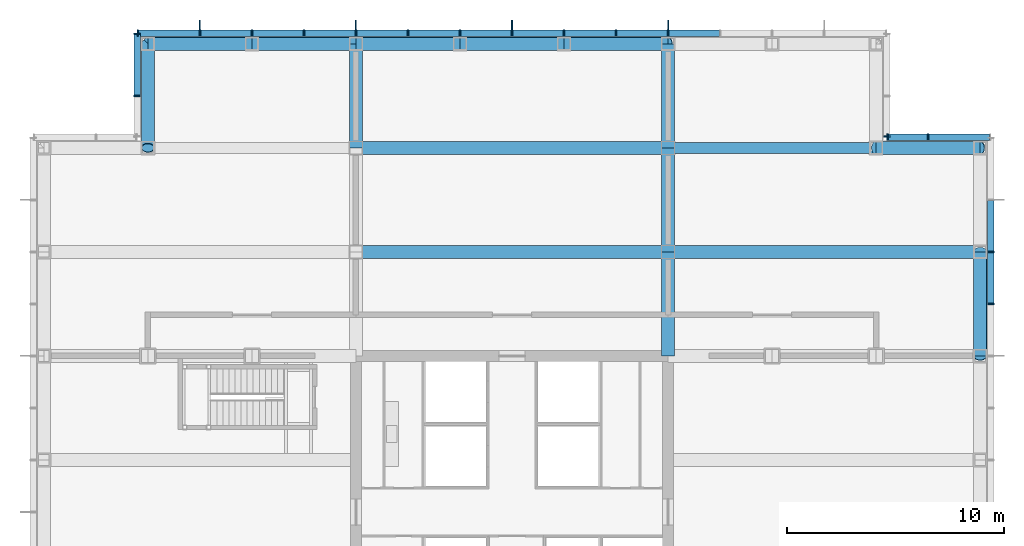
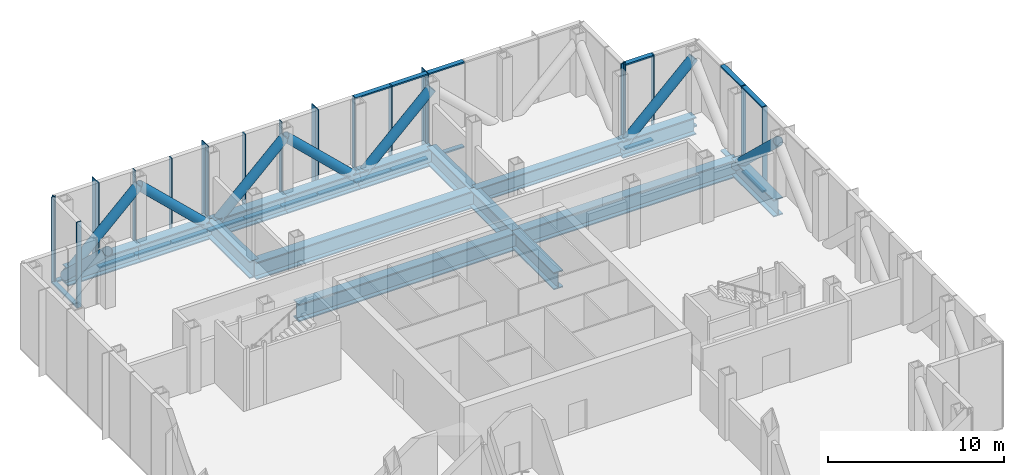
# One storey, part 10 of 18: 52 members, 15 beams, 5 elements without a shape of their own.
"""IFC4 building model written with IfcOpenShell, lengths in metres."""

from ifc_helpers import new_model, si_unit, direction, frame, origin, origin_2d, place, context, subcontext, project, spatial, rectangle, hollow_circle, i_section, extrude, material, material_profile, profile_set, type_object, element, aggregate, save


model = new_model("IFC4")

# Units and contexts
model_context = context("Model", 3, precision=1e-05, world=origin(), true_north=direction((0.0, 1.0)))
body_context = subcontext(model_context, "Body", "Model", "MODEL_VIEW")
ifc_project = project(units=[si_unit("LENGTHUNIT", "METRE"), si_unit("AREAUNIT", "SQUARE_METRE"), si_unit("VOLUMEUNIT", "CUBIC_METRE"), si_unit("PLANEANGLEUNIT", "RADIAN"), si_unit("MASSUNIT", "GRAM", prefix="KILO")], contexts=[model_context])

# Site, building, storey
site_placement = place(None, origin())
site = spatial("IfcSite", under=ifc_project, at=site_placement, CompositionType="ELEMENT")
building_placement = place(site_placement, origin())
building = spatial("IfcBuilding", under=site, at=building_placement, Name="Kvirike Care Tower", CompositionType="ELEMENT")
storey_placement = place(building_placement, frame((0.0, 0.0, 79.5)))
storey = spatial("IfcBuildingStorey", under=building, at=storey_placement, Name="L21", CompositionType="ELEMENT", Elevation=79.5)

# Members
ifc_material_1 = material(Name="Steel S355", Category="steel")
ifc_material_profile_1 = material_profile(ifc_material_1, hollow_circle(Radius=0.304931640625, WallThickness=0.030029296875, at=origin_2d()), Name="CHS 610x30")
ifc_profile_set_1 = profile_set([ifc_material_profile_1], Name="Steel S355")
member_type_1 = type_object("IfcMemberType", Name="BELT TRUSS DIAGONAL CHS 610x30", PredefinedType="BRACE", material=ifc_profile_set_1)
for number, where, z_axis, x_axis, name in (
    (1, (43.199951171875, 48.0, -0.85009765625), (0.0, -0.723490032929, 0.690334826191), (1.0, 0.0, 0.0), "Belt truss diagonal K12-L12 L21"),
    (2, (38.39990234375, 52.800048828125, -0.85009765625), (0.723490032929, 0.0, 0.690334826191), (0.0, 1.0, 0.0), "Belt truss diagonal M12-M11 L21"),
    (3, (24.0, 57.60009765625, -0.85009765625), (0.723490032929, 0.0, 0.690334826191), (0.0, 1.0, 0.0), "Belt truss diagonal N9-N8 L21"),
    (4, (24.0, 57.60009765625, -0.85009765625), (-0.723490032929, 0.0, 0.690334826191), (0.0, -1.0, 0.0), "Belt truss diagonal N8-N7 L21"),
    (5, (14.39990234375, 57.60009765625, -0.85009765625), (0.723490032929, 0.0, 0.690334826191), (0.0, 1.0, 0.0), "Belt truss diagonal N7-N6 L21"),
):
    element("IfcMember", number, at=place(storey_placement, frame(where, z_axis=z_axis, x_axis=x_axis)), inside=storey, type_object=member_type_1, Name=name, PredefinedType="BRACE", context=body_context, shape_type="SweptSolid", body=[
        extrude(hollow_circle(Radius=0.304931640625, WallThickness=0.030029296875, at=origin_2d()), origin(), (0.0, 0.0, 1.0), 6.634521484375),
    ])
member_1_placement = place(storey_placement, frame((14.39990234375, 57.60009765625, -0.85009765625), z_axis=(-0.723472495583, 0.0, 0.690353205348), x_axis=(0.0, -1.0, 0.0)))
element("IfcMember", 6, at=member_1_placement, inside=storey, type_object=member_type_1, Name="Belt truss diagonal N6-N5 L21", PredefinedType="BRACE", context=body_context, shape_type="SweptSolid", body=[
    extrude(hollow_circle(Radius=0.304931640625, WallThickness=0.030029296875, at=origin_2d()), origin(), (0.0, 0.0, 1.0), 6.63427734375),
])
for number, where, z_axis, x_axis, name in (
    (7, (4.800048828125, 57.60009765625, -0.85009765625), (0.723490032929, 0.0, 0.690334826191), (0.0, 1.0, 0.0), "Belt truss diagonal N5-N4 L21"),
    (8, (4.800048828125, 57.60009765625, -0.85009765625), (0.0, -0.723490032929, 0.690334826191), (1.0, 0.0, 0.0), "Belt truss diagonal N4-M4 L21"),
):
    element("IfcMember", number, at=place(storey_placement, frame(where, z_axis=z_axis, x_axis=x_axis)), inside=storey, type_object=member_type_1, Name=name, PredefinedType="BRACE", context=body_context, shape_type="SweptSolid", body=[
        extrude(hollow_circle(Radius=0.304931640625, WallThickness=0.030029296875, at=origin_2d()), origin(), (0.0, 0.0, 1.0), 6.634521484375),
    ])

# Curtain wall, members
ifc_material_2 = material(Name="Anodised aluminium stick system", Category="aluminium")
curtain_wall_type = type_object("IfcCurtainWallType", Name="CW-L LOUVRED PLANT SCREEN", PredefinedType="NOTDEFINED", material=ifc_material_2)
curtain_wall_1_placement = place(storey_placement, origin())
curtain_wall_1 = element("IfcCurtainWall", 9, at=curtain_wall_1_placement, inside=storey, type_object=curtain_wall_type, Name="Curtain wall L21 face 10", PredefinedType="NOTDEFINED")
ifc_material_3 = material(Name="Bronze anodised aluminium fin", Category="aluminium")
ifc_material_profile_2 = material_profile(ifc_material_3, rectangle(XDim=0.050048828125, YDim=0.449951171875, at=origin_2d()), Name="BRONZE FIN 450")
ifc_profile_set_2 = profile_set([ifc_material_profile_2], Name="Bronze anodised aluminium fin")
member_type_2 = type_object("IfcMemberType", Name="BRONZE FIN 450", PredefinedType="USERDEFINED", material=ifc_profile_set_2)
member_2_placement = place(storey_placement, frame((28.800048828125, 58.47509765625, -1.449951171875), z_axis=(0.0, 0.0, 1.0), x_axis=(-1.0, 0.0, 0.0)))
member_2 = element("IfcMember", 10, at=member_2_placement, type_object=member_type_2, Name="Bronze fin L21 face 10.5", ObjectType="FIN", PredefinedType="USERDEFINED", context=body_context, shape_type="SweptSolid", body=[
    extrude(rectangle(XDim=0.050048828125, YDim=0.449951171875, at=origin_2d()), origin(), (0.0, 0.0, 1.0), 5.949951171875),
])
member_3_placement = place(storey_placement, frame((21.60009765625, 58.47509765625, -1.449951171875), z_axis=(0.0, 0.0, 1.0), x_axis=(-1.0, 0.0, 0.0)))
member_3 = element("IfcMember", 11, at=member_3_placement, type_object=member_type_2, Name="Bronze fin L21 face 10.8", ObjectType="FIN", PredefinedType="USERDEFINED", context=body_context, shape_type="SweptSolid", body=[
    extrude(rectangle(XDim=0.050048828125, YDim=0.449951171875, at=origin_2d()), origin(), (0.0, 0.0, 1.0), 5.949951171875),
])
member_4_placement = place(storey_placement, frame((14.39990234375, 58.47509765625, -1.449951171875), z_axis=(0.0, 0.0, 1.0), x_axis=(-1.0, 0.0, 0.0)))
member_4 = element("IfcMember", 12, at=member_4_placement, type_object=member_type_2, Name="Bronze fin L21 face 10.11", ObjectType="FIN", PredefinedType="USERDEFINED", context=body_context, shape_type="SweptSolid", body=[
    extrude(rectangle(XDim=0.050048828125, YDim=0.449951171875, at=origin_2d()), origin(), (0.0, 0.0, 1.0), 5.949951171875),
])
member_5_placement = place(storey_placement, frame((7.199951171875, 58.47509765625, -1.449951171875), z_axis=(0.0, 0.0, 1.0), x_axis=(-1.0, 0.0, 0.0)))
member_5 = element("IfcMember", 13, at=member_5_placement, type_object=member_type_2, Name="Bronze fin L21 face 10.14", ObjectType="FIN", PredefinedType="USERDEFINED", context=body_context, shape_type="SweptSolid", body=[
    extrude(rectangle(XDim=0.050048828125, YDim=0.449951171875, at=origin_2d()), origin(), (0.0, 0.0, 1.0), 5.949951171875),
])

curtain_wall_2_placement = place(storey_placement, origin())
curtain_wall_2 = element("IfcCurtainWall", 14, at=curtain_wall_2_placement, inside=storey, type_object=curtain_wall_type, Name="Curtain wall L21 face 7", PredefinedType="NOTDEFINED")
ifc_material_4 = material(Name="Bronze anodised aluminium mullion", Category="aluminium")
ifc_material_profile_3 = material_profile(ifc_material_4, rectangle(XDim=0.06494140625, YDim=0.300048828125, at=origin_2d()), Name="CW-L MULLION 65x300")
ifc_profile_set_3 = profile_set([ifc_material_profile_3], Name="Bronze anodised aluminium mullion")
member_type_3 = type_object("IfcMemberType", Name="CW-L MULLION 65x300", PredefinedType="MULLION", material=ifc_profile_set_3)
member_6_placement = place(storey_placement, frame((43.699951171875, 45.60009765625, -1.449951171875), z_axis=(0.0, 0.0, 1.0), x_axis=(0.0, 1.0, 0.0)))
member_6 = element("IfcMember", 15, at=member_6_placement, type_object=member_type_3, Name="CW-L mullion L21 face 7.12", PredefinedType="MULLION", context=body_context, shape_type="SweptSolid", body=[
    extrude(rectangle(XDim=0.06494140625, YDim=0.300048828125, at=origin_2d()), origin(), (0.0, 0.0, 1.0), 5.949951171875),
])
member_7_placement = place(storey_placement, frame((43.699951171875, 48.0, -1.449951171875), z_axis=(0.0, 0.0, 1.0), x_axis=(0.0, 1.0, 0.0)))
member_7 = element("IfcMember", 16, at=member_7_placement, type_object=member_type_3, Name="CW-L mullion L21 face 7.13", PredefinedType="MULLION", context=body_context, shape_type="SweptSolid", body=[
    extrude(rectangle(XDim=0.06494140625, YDim=0.300048828125, at=origin_2d()), origin(), (0.0, 0.0, 1.0), 5.949951171875),
])

curtain_wall_3_placement = place(storey_placement, origin())
curtain_wall_3 = element("IfcCurtainWall", 17, at=curtain_wall_3_placement, inside=storey, type_object=curtain_wall_type, Name="Curtain wall L21 face 8", PredefinedType="NOTDEFINED")
member_8_placement = place(storey_placement, frame((40.800048828125, 53.300048828125, -1.449951171875), z_axis=(0.0, 0.0, 1.0), x_axis=(-1.0, 0.0, 0.0)))
member_8 = element("IfcMember", 18, at=member_8_placement, type_object=member_type_3, Name="CW-L mullion L21 face 8.2", PredefinedType="MULLION", context=body_context, shape_type="SweptSolid", body=[
    extrude(rectangle(XDim=0.06494140625, YDim=0.300048828125, at=origin_2d()), origin(), (0.0, 0.0, 1.0), 5.949951171875),
])
member_9_placement = place(storey_placement, frame((38.9326171875, 53.300048828125, -1.449951171875), z_axis=(0.0, 0.0, 1.0), x_axis=(-1.0, 0.0, 0.0)))
member_9 = element("IfcMember", 19, at=member_9_placement, type_object=member_type_3, Name="CW-L mullion L21 face 8.3", PredefinedType="MULLION", context=body_context, shape_type="SweptSolid", body=[
    extrude(rectangle(XDim=0.06494140625, YDim=0.300048828125, at=origin_2d()), origin(), (0.0, 0.0, 1.0), 5.949951171875),
])

# Curtain wall, member
curtain_wall_4_placement = place(storey_placement, origin())
curtain_wall_4 = element("IfcCurtainWall", 20, at=curtain_wall_4_placement, inside=storey, type_object=curtain_wall_type, Name="Curtain wall L21 face 9", PredefinedType="NOTDEFINED")
member_10_placement = place(storey_placement, frame((38.89990234375, 53.33251953125, -1.449951171875), z_axis=(0.0, 0.0, 1.0), x_axis=(0.0, 1.0, 0.0)))
member_10 = element("IfcMember", 21, at=member_10_placement, type_object=member_type_3, Name="CW-L mullion L21 face 9.1", PredefinedType="MULLION", context=body_context, shape_type="SweptSolid", body=[
    extrude(rectangle(XDim=0.06494140625, YDim=0.300048828125, at=origin_2d()), origin(), (0.0, 0.0, 1.0), 5.949951171875),
])
aggregate(curtain_wall_4, [member_10])

# Member
member_11_placement = place(storey_placement, frame((28.800048828125, 58.10009765625, -1.449951171875), z_axis=(0.0, 0.0, 1.0), x_axis=(-1.0, 0.0, 0.0)))
member_11 = element("IfcMember", 22, at=member_11_placement, type_object=member_type_3, Name="CW-L mullion L21 face 10.5", PredefinedType="MULLION", context=body_context, shape_type="SweptSolid", body=[
    extrude(rectangle(XDim=0.06494140625, YDim=0.300048828125, at=origin_2d()), origin(), (0.0, 0.0, 1.0), 5.949951171875),
])

member_12_placement = place(storey_placement, frame((26.39990234375, 58.10009765625, -1.449951171875), z_axis=(0.0, 0.0, 1.0), x_axis=(-1.0, 0.0, 0.0)))
member_12 = element("IfcMember", 23, at=member_12_placement, type_object=member_type_3, Name="CW-L mullion L21 face 10.6", PredefinedType="MULLION", context=body_context, shape_type="SweptSolid", body=[
    extrude(rectangle(XDim=0.06494140625, YDim=0.300048828125, at=origin_2d()), origin(), (0.0, 0.0, 1.0), 5.949951171875),
])

member_13_placement = place(storey_placement, frame((24.0, 58.10009765625, -1.449951171875), z_axis=(0.0, 0.0, 1.0), x_axis=(-1.0, 0.0, 0.0)))
member_13 = element("IfcMember", 24, at=member_13_placement, type_object=member_type_3, Name="CW-L mullion L21 face 10.7", PredefinedType="MULLION", context=body_context, shape_type="SweptSolid", body=[
    extrude(rectangle(XDim=0.06494140625, YDim=0.300048828125, at=origin_2d()), origin(), (0.0, 0.0, 1.0), 5.949951171875),
])

member_14_placement = place(storey_placement, frame((21.60009765625, 58.10009765625, -1.449951171875), z_axis=(0.0, 0.0, 1.0), x_axis=(-1.0, 0.0, 0.0)))
member_14 = element("IfcMember", 25, at=member_14_placement, type_object=member_type_3, Name="CW-L mullion L21 face 10.8", PredefinedType="MULLION", context=body_context, shape_type="SweptSolid", body=[
    extrude(rectangle(XDim=0.06494140625, YDim=0.300048828125, at=origin_2d()), origin(), (0.0, 0.0, 1.0), 5.949951171875),
])

member_15_placement = place(storey_placement, frame((19.199951171875, 58.10009765625, -1.449951171875), z_axis=(0.0, 0.0, 1.0), x_axis=(-1.0, 0.0, 0.0)))
member_15 = element("IfcMember", 26, at=member_15_placement, type_object=member_type_3, Name="CW-L mullion L21 face 10.9", PredefinedType="MULLION", context=body_context, shape_type="SweptSolid", body=[
    extrude(rectangle(XDim=0.06494140625, YDim=0.300048828125, at=origin_2d()), origin(), (0.0, 0.0, 1.0), 5.949951171875),
])

member_16_placement = place(storey_placement, frame((16.800048828125, 58.10009765625, -1.449951171875), z_axis=(0.0, 0.0, 1.0), x_axis=(-1.0, 0.0, 0.0)))
member_16 = element("IfcMember", 27, at=member_16_placement, type_object=member_type_3, Name="CW-L mullion L21 face 10.10", PredefinedType="MULLION", context=body_context, shape_type="SweptSolid", body=[
    extrude(rectangle(XDim=0.06494140625, YDim=0.300048828125, at=origin_2d()), origin(), (0.0, 0.0, 1.0), 5.949951171875),
])

member_17_placement = place(storey_placement, frame((14.39990234375, 58.10009765625, -1.449951171875), z_axis=(0.0, 0.0, 1.0), x_axis=(-1.0, 0.0, 0.0)))
member_17 = element("IfcMember", 28, at=member_17_placement, type_object=member_type_3, Name="CW-L mullion L21 face 10.11", PredefinedType="MULLION", context=body_context, shape_type="SweptSolid", body=[
    extrude(rectangle(XDim=0.06494140625, YDim=0.300048828125, at=origin_2d()), origin(), (0.0, 0.0, 1.0), 5.949951171875),
])

member_18_placement = place(storey_placement, frame((12.0, 58.10009765625, -1.449951171875), z_axis=(0.0, 0.0, 1.0), x_axis=(-1.0, 0.0, 0.0)))
member_18 = element("IfcMember", 29, at=member_18_placement, type_object=member_type_3, Name="CW-L mullion L21 face 10.12", PredefinedType="MULLION", context=body_context, shape_type="SweptSolid", body=[
    extrude(rectangle(XDim=0.06494140625, YDim=0.300048828125, at=origin_2d()), origin(), (0.0, 0.0, 1.0), 5.949951171875),
])

member_19_placement = place(storey_placement, frame((9.60009765625, 58.10009765625, -1.449951171875), z_axis=(0.0, 0.0, 1.0), x_axis=(-1.0, 0.0, 0.0)))
member_19 = element("IfcMember", 30, at=member_19_placement, type_object=member_type_3, Name="CW-L mullion L21 face 10.13", PredefinedType="MULLION", context=body_context, shape_type="SweptSolid", body=[
    extrude(rectangle(XDim=0.06494140625, YDim=0.300048828125, at=origin_2d()), origin(), (0.0, 0.0, 1.0), 5.949951171875),
])

member_20_placement = place(storey_placement, frame((7.199951171875, 58.10009765625, -1.449951171875), z_axis=(0.0, 0.0, 1.0), x_axis=(-1.0, 0.0, 0.0)))
member_20 = element("IfcMember", 31, at=member_20_placement, type_object=member_type_3, Name="CW-L mullion L21 face 10.14", PredefinedType="MULLION", context=body_context, shape_type="SweptSolid", body=[
    extrude(rectangle(XDim=0.06494140625, YDim=0.300048828125, at=origin_2d()), origin(), (0.0, 0.0, 1.0), 5.949951171875),
])

member_21_placement = place(storey_placement, frame((4.33251953125, 58.10009765625, -1.449951171875), z_axis=(0.0, 0.0, 1.0), x_axis=(-1.0, 0.0, 0.0)))
member_21 = element("IfcMember", 32, at=member_21_placement, type_object=member_type_3, Name="CW-L mullion L21 face 10.15", PredefinedType="MULLION", context=body_context, shape_type="SweptSolid", body=[
    extrude(rectangle(XDim=0.06494140625, YDim=0.300048828125, at=origin_2d()), origin(), (0.0, 0.0, 1.0), 5.949951171875),
])

# Curtain wall, members
curtain_wall_5_placement = place(storey_placement, origin())
curtain_wall_5 = element("IfcCurtainWall", 33, at=curtain_wall_5_placement, inside=storey, type_object=curtain_wall_type, Name="Curtain wall L21 face 11", PredefinedType="NOTDEFINED")
member_22_placement = place(storey_placement, frame((4.300048828125, 58.0673828125, -1.449951171875), z_axis=(0.0, 0.0, 1.0), x_axis=(0.0, -1.0, 0.0)))
member_22 = element("IfcMember", 34, at=member_22_placement, type_object=member_type_3, Name="CW-L mullion L21 face 11.1", PredefinedType="MULLION", context=body_context, shape_type="SweptSolid", body=[
    extrude(rectangle(XDim=0.06494140625, YDim=0.300048828125, at=origin_2d()), origin(), (0.0, 0.0, 1.0), 5.949951171875),
])
member_23_placement = place(storey_placement, frame((4.300048828125, 55.199951171875, -1.449951171875), z_axis=(0.0, 0.0, 1.0), x_axis=(0.0, -1.0, 0.0)))
member_23 = element("IfcMember", 35, at=member_23_placement, type_object=member_type_3, Name="CW-L mullion L21 face 11.2", PredefinedType="MULLION", context=body_context, shape_type="SweptSolid", body=[
    extrude(rectangle(XDim=0.06494140625, YDim=0.300048828125, at=origin_2d()), origin(), (0.0, 0.0, 1.0), 5.949951171875),
])

# Member
ifc_material_5 = material(Name="Bronze anodised aluminium transom", Category="aluminium")
ifc_material_profile_4 = material_profile(ifc_material_5, rectangle(XDim=0.300048828125, YDim=0.10009765625, at=origin_2d()), Name="CW-L TRANSOM 300x100")
ifc_profile_set_4 = profile_set([ifc_material_profile_4], Name="Bronze anodised aluminium transom")
member_type_4 = type_object("IfcMemberType", Name="CW-L TRANSOM 300x100", PredefinedType="USERDEFINED", material=ifc_profile_set_4)
member_24_placement = place(storey_placement, frame((43.699951171875, 45.632568359375, -1.39990234375), z_axis=(0.0, 1.0, 0.0), x_axis=(-1.0, 0.0, 0.0)))
member_24 = element("IfcMember", 36, at=member_24_placement, type_object=member_type_4, Name="CW-L sill transom L21 face 7.12", ObjectType="TRANSOM", PredefinedType="USERDEFINED", context=body_context, shape_type="SweptSolid", body=[
    extrude(rectangle(XDim=0.300048828125, YDim=0.10009765625, at=origin_2d()), origin(), (0.0, 0.0, 1.0), 2.3349609375),
])

member_25_placement = place(storey_placement, frame((43.699951171875, 45.632568359375, 4.449951171875), z_axis=(0.0, 1.0, 0.0), x_axis=(-1.0, 0.0, 0.0)))
member_25 = element("IfcMember", 37, at=member_25_placement, type_object=member_type_4, Name="CW-L head transom L21 face 7.12", ObjectType="TRANSOM", PredefinedType="USERDEFINED", context=body_context, shape_type="SweptSolid", body=[
    extrude(rectangle(XDim=0.300048828125, YDim=0.10009765625, at=origin_2d()), origin(), (0.0, 0.0, 1.0), 2.3349609375),
])

member_26_placement = place(storey_placement, frame((43.699951171875, 48.032470703125, -1.39990234375), z_axis=(0.0, 1.0, 0.0), x_axis=(-1.0, 0.0, 0.0)))
member_26 = element("IfcMember", 38, at=member_26_placement, type_object=member_type_4, Name="CW-L sill transom L21 face 7.13", ObjectType="TRANSOM", PredefinedType="USERDEFINED", context=body_context, shape_type="SweptSolid", body=[
    extrude(rectangle(XDim=0.300048828125, YDim=0.10009765625, at=origin_2d()), origin(), (0.0, 0.0, 1.0), 2.3349609375),
])

member_27_placement = place(storey_placement, frame((43.699951171875, 48.032470703125, 4.449951171875), z_axis=(0.0, 1.0, 0.0), x_axis=(-1.0, 0.0, 0.0)))
member_27 = element("IfcMember", 39, at=member_27_placement, type_object=member_type_4, Name="CW-L head transom L21 face 7.13", ObjectType="TRANSOM", PredefinedType="USERDEFINED", context=body_context, shape_type="SweptSolid", body=[
    extrude(rectangle(XDim=0.300048828125, YDim=0.10009765625, at=origin_2d()), origin(), (0.0, 0.0, 1.0), 2.3349609375),
])

aggregate(curtain_wall_2, [member_6, member_7, member_24, member_25, member_26, member_27])

member_28_placement = place(storey_placement, frame((43.635009765625, 53.300048828125, -1.39990234375), z_axis=(-1.0, 0.0, 0.0), x_axis=(0.0, -1.0, 0.0)))
member_28 = element("IfcMember", 40, at=member_28_placement, type_object=member_type_4, Name="CW-L sill transom L21 face 8.1", ObjectType="TRANSOM", PredefinedType="USERDEFINED", context=body_context, shape_type="SweptSolid", body=[
    extrude(rectangle(XDim=0.300048828125, YDim=0.10009765625, at=origin_2d()), origin(), (0.0, 0.0, 1.0), 2.802490234375),
])

member_29_placement = place(storey_placement, frame((40.767578125, 53.300048828125, -1.39990234375), z_axis=(-1.0, 0.0, 0.0), x_axis=(0.0, -1.0, 0.0)))
member_29 = element("IfcMember", 41, at=member_29_placement, type_object=member_type_4, Name="CW-L sill transom L21 face 8.2", ObjectType="TRANSOM", PredefinedType="USERDEFINED", context=body_context, shape_type="SweptSolid", body=[
    extrude(rectangle(XDim=0.300048828125, YDim=0.10009765625, at=origin_2d()), origin(), (0.0, 0.0, 1.0), 1.802490234375),
])

member_30_placement = place(storey_placement, frame((40.767578125, 53.300048828125, 4.449951171875), z_axis=(-1.0, 0.0, 0.0), x_axis=(0.0, -1.0, 0.0)))
member_30 = element("IfcMember", 42, at=member_30_placement, type_object=member_type_4, Name="CW-L head transom L21 face 8.2", ObjectType="TRANSOM", PredefinedType="USERDEFINED", context=body_context, shape_type="SweptSolid", body=[
    extrude(rectangle(XDim=0.300048828125, YDim=0.10009765625, at=origin_2d()), origin(), (0.0, 0.0, 1.0), 1.802490234375),
])

aggregate(curtain_wall_3, [member_8, member_9, member_28, member_29, member_30])

member_31_placement = place(storey_placement, frame((31.16748046875, 58.10009765625, -1.39990234375), z_axis=(-1.0, 0.0, 0.0), x_axis=(0.0, -1.0, 0.0)))
member_31 = element("IfcMember", 43, at=member_31_placement, type_object=member_type_4, Name="CW-L sill transom L21 face 10.4", ObjectType="TRANSOM", PredefinedType="USERDEFINED", context=body_context, shape_type="SweptSolid", body=[
    extrude(rectangle(XDim=0.300048828125, YDim=0.10009765625, at=origin_2d()), origin(), (0.0, 0.0, 1.0), 2.3349609375),
])

member_32_placement = place(storey_placement, frame((31.16748046875, 58.10009765625, 4.449951171875), z_axis=(-1.0, 0.0, 0.0), x_axis=(0.0, -1.0, 0.0)))
member_32 = element("IfcMember", 44, at=member_32_placement, type_object=member_type_4, Name="CW-L head transom L21 face 10.4", ObjectType="TRANSOM", PredefinedType="USERDEFINED", context=body_context, shape_type="SweptSolid", body=[
    extrude(rectangle(XDim=0.300048828125, YDim=0.10009765625, at=origin_2d()), origin(), (0.0, 0.0, 1.0), 2.3349609375),
])

member_33_placement = place(storey_placement, frame((28.767578125, 58.10009765625, -1.39990234375), z_axis=(-1.0, 0.0, 0.0), x_axis=(0.0, -1.0, 0.0)))
member_33 = element("IfcMember", 45, at=member_33_placement, type_object=member_type_4, Name="CW-L sill transom L21 face 10.5", ObjectType="TRANSOM", PredefinedType="USERDEFINED", context=body_context, shape_type="SweptSolid", body=[
    extrude(rectangle(XDim=0.300048828125, YDim=0.10009765625, at=origin_2d()), origin(), (0.0, 0.0, 1.0), 2.3349609375),
])

member_34_placement = place(storey_placement, frame((28.767578125, 58.10009765625, 4.449951171875), z_axis=(-1.0, 0.0, 0.0), x_axis=(0.0, -1.0, 0.0)))
member_34 = element("IfcMember", 46, at=member_34_placement, type_object=member_type_4, Name="CW-L head transom L21 face 10.5", ObjectType="TRANSOM", PredefinedType="USERDEFINED", context=body_context, shape_type="SweptSolid", body=[
    extrude(rectangle(XDim=0.300048828125, YDim=0.10009765625, at=origin_2d()), origin(), (0.0, 0.0, 1.0), 2.3349609375),
])

member_35_placement = place(storey_placement, frame((26.367431640625, 58.10009765625, -1.39990234375), z_axis=(-1.0, 0.0, 0.0), x_axis=(0.0, -1.0, 0.0)))
member_35 = element("IfcMember", 47, at=member_35_placement, type_object=member_type_4, Name="CW-L sill transom L21 face 10.6", ObjectType="TRANSOM", PredefinedType="USERDEFINED", context=body_context, shape_type="SweptSolid", body=[
    extrude(rectangle(XDim=0.300048828125, YDim=0.10009765625, at=origin_2d()), origin(), (0.0, 0.0, 1.0), 2.3349609375),
])

member_36_placement = place(storey_placement, frame((26.367431640625, 58.10009765625, 4.449951171875), z_axis=(-1.0, 0.0, 0.0), x_axis=(0.0, -1.0, 0.0)))
member_36 = element("IfcMember", 48, at=member_36_placement, type_object=member_type_4, Name="CW-L head transom L21 face 10.6", ObjectType="TRANSOM", PredefinedType="USERDEFINED", context=body_context, shape_type="SweptSolid", body=[
    extrude(rectangle(XDim=0.300048828125, YDim=0.10009765625, at=origin_2d()), origin(), (0.0, 0.0, 1.0), 2.3349609375),
])

member_37_placement = place(storey_placement, frame((23.967529296875, 58.10009765625, -1.39990234375), z_axis=(-1.0, 0.0, 0.0), x_axis=(0.0, -1.0, 0.0)))
member_37 = element("IfcMember", 49, at=member_37_placement, type_object=member_type_4, Name="CW-L sill transom L21 face 10.7", ObjectType="TRANSOM", PredefinedType="USERDEFINED", context=body_context, shape_type="SweptSolid", body=[
    extrude(rectangle(XDim=0.300048828125, YDim=0.10009765625, at=origin_2d()), origin(), (0.0, 0.0, 1.0), 2.3349609375),
])

member_38_placement = place(storey_placement, frame((21.5673828125, 58.10009765625, -1.39990234375), z_axis=(-1.0, 0.0, 0.0), x_axis=(0.0, -1.0, 0.0)))
member_38 = element("IfcMember", 50, at=member_38_placement, type_object=member_type_4, Name="CW-L sill transom L21 face 10.8", ObjectType="TRANSOM", PredefinedType="USERDEFINED", context=body_context, shape_type="SweptSolid", body=[
    extrude(rectangle(XDim=0.300048828125, YDim=0.10009765625, at=origin_2d()), origin(), (0.0, 0.0, 1.0), 2.3349609375),
])

member_39_placement = place(storey_placement, frame((19.16748046875, 58.10009765625, -1.39990234375), z_axis=(-1.0, 0.0, 0.0), x_axis=(0.0, -1.0, 0.0)))
member_39 = element("IfcMember", 51, at=member_39_placement, type_object=member_type_4, Name="CW-L sill transom L21 face 10.9", ObjectType="TRANSOM", PredefinedType="USERDEFINED", context=body_context, shape_type="SweptSolid", body=[
    extrude(rectangle(XDim=0.300048828125, YDim=0.10009765625, at=origin_2d()), origin(), (0.0, 0.0, 1.0), 2.3349609375),
])

member_40_placement = place(storey_placement, frame((16.767578125, 58.10009765625, -1.39990234375), z_axis=(-1.0, 0.0, 0.0), x_axis=(0.0, -1.0, 0.0)))
member_40 = element("IfcMember", 52, at=member_40_placement, type_object=member_type_4, Name="CW-L sill transom L21 face 10.10", ObjectType="TRANSOM", PredefinedType="USERDEFINED", context=body_context, shape_type="SweptSolid", body=[
    extrude(rectangle(XDim=0.300048828125, YDim=0.10009765625, at=origin_2d()), origin(), (0.0, 0.0, 1.0), 2.3349609375),
])

member_41_placement = place(storey_placement, frame((14.367431640625, 58.10009765625, -1.39990234375), z_axis=(-1.0, 0.0, 0.0), x_axis=(0.0, -1.0, 0.0)))
member_41 = element("IfcMember", 53, at=member_41_placement, type_object=member_type_4, Name="CW-L sill transom L21 face 10.11", ObjectType="TRANSOM", PredefinedType="USERDEFINED", context=body_context, shape_type="SweptSolid", body=[
    extrude(rectangle(XDim=0.300048828125, YDim=0.10009765625, at=origin_2d()), origin(), (0.0, 0.0, 1.0), 2.3349609375),
])

member_42_placement = place(storey_placement, frame((11.967529296875, 58.10009765625, -1.39990234375), z_axis=(-1.0, 0.0, 0.0), x_axis=(0.0, -1.0, 0.0)))
member_42 = element("IfcMember", 54, at=member_42_placement, type_object=member_type_4, Name="CW-L sill transom L21 face 10.12", ObjectType="TRANSOM", PredefinedType="USERDEFINED", context=body_context, shape_type="SweptSolid", body=[
    extrude(rectangle(XDim=0.300048828125, YDim=0.10009765625, at=origin_2d()), origin(), (0.0, 0.0, 1.0), 2.3349609375),
])

member_43_placement = place(storey_placement, frame((9.5673828125, 58.10009765625, -1.39990234375), z_axis=(-1.0, 0.0, 0.0), x_axis=(0.0, -1.0, 0.0)))
member_43 = element("IfcMember", 55, at=member_43_placement, type_object=member_type_4, Name="CW-L sill transom L21 face 10.13", ObjectType="TRANSOM", PredefinedType="USERDEFINED", context=body_context, shape_type="SweptSolid", body=[
    extrude(rectangle(XDim=0.300048828125, YDim=0.10009765625, at=origin_2d()), origin(), (0.0, 0.0, 1.0), 2.3349609375),
])

member_44_placement = place(storey_placement, frame((7.16748046875, 58.10009765625, -1.39990234375), z_axis=(-1.0, 0.0, 0.0), x_axis=(0.0, -1.0, 0.0)))
member_44 = element("IfcMember", 56, at=member_44_placement, type_object=member_type_4, Name="CW-L sill transom L21 face 10.14", ObjectType="TRANSOM", PredefinedType="USERDEFINED", context=body_context, shape_type="SweptSolid", body=[
    extrude(rectangle(XDim=0.300048828125, YDim=0.10009765625, at=origin_2d()), origin(), (0.0, 0.0, 1.0), 2.802490234375),
])

aggregate(curtain_wall_1, [member_11, member_2, member_12, member_13, member_14, member_3, member_15, member_16, member_17, member_4, member_18, member_19, member_20, member_5, member_21, member_31, member_32, member_33, member_34, member_35, member_36, member_37, member_38, member_39, member_40, member_41, member_42, member_43, member_44])

member_45_placement = place(storey_placement, frame((4.300048828125, 58.034912109375, -1.39990234375), z_axis=(0.0, -1.0, 0.0), x_axis=(1.0, 0.0, 0.0)))
member_45 = element("IfcMember", 57, at=member_45_placement, type_object=member_type_4, Name="CW-L sill transom L21 face 11.1", ObjectType="TRANSOM", PredefinedType="USERDEFINED", context=body_context, shape_type="SweptSolid", body=[
    extrude(rectangle(XDim=0.300048828125, YDim=0.10009765625, at=origin_2d()), origin(), (0.0, 0.0, 1.0), 2.802490234375),
])

aggregate(curtain_wall_5, [member_22, member_23, member_45])

# Beams
ifc_material_6 = material(Name="Steel S355", Category="steel")
ifc_material_profile_5 = material_profile(ifc_material_6, i_section(OverallWidth=0.60009765625, OverallDepth=1.199951171875, WebThickness=0.0400390625, FlangeThickness=0.080078125, at=origin_2d()), Name="PG 1200x600x40x80")
ifc_profile_set_5 = profile_set([ifc_material_profile_5], Name="Steel S355")
beam_type_1 = type_object("IfcBeamType", Name="FRAME BEAM PG 1200x600x40x80", PredefinedType="BEAM", material=ifc_profile_set_5)
for number, where, z_axis, x_axis, name in (
    (58, (14.39990234375, 52.800048828125, -0.85009765625), (0.0, 1.0, 0.0), (-1.0, 0.0, 0.0), "Frame Beam M6-N6 L21"),
    (59, (28.800048828125, 43.199951171875, -0.85009765625), (0.0, 1.0, 0.0), (-1.0, 0.0, 0.0), "Frame Beam K9-L9 L21"),
    (60, (28.800048828125, 48.0, -0.85009765625), (0.0, 1.0, 0.0), (-1.0, 0.0, 0.0), "Frame Beam L9-M9 L21"),
    (61, (28.800048828125, 52.800048828125, -0.85009765625), (0.0, 1.0, 0.0), (-1.0, 0.0, 0.0), "Frame Beam M9-N9 L21"),
):
    element("IfcBeam", number, at=place(storey_placement, frame(where, z_axis=z_axis, x_axis=x_axis)), inside=storey, type_object=beam_type_1, Name=name, PredefinedType="BEAM", context=body_context, shape_type="SweptSolid", body=[
        extrude(i_section(OverallWidth=0.60009765625, OverallDepth=1.199951171875, WebThickness=0.0400390625, FlangeThickness=0.080078125, at=origin_2d()), origin(), (0.0, 0.0, 1.0), 4.800048828125),
    ])
ifc_material_7 = material(Name="Steel S355", Category="steel")
ifc_material_profile_6 = material_profile(ifc_material_7, i_section(OverallWidth=0.5, OverallDepth=1.0, WebThickness=0.030029296875, FlangeThickness=0.06005859375, at=origin_2d()), Name="PG 1000x500x30x60")
ifc_profile_set_6 = profile_set([ifc_material_profile_6], Name="Steel S355")
beam_type_2 = type_object("IfcBeamType", Name="PLANT FLOOR GIRDER PG 1000x500x30x60", PredefinedType="BEAM", material=ifc_profile_set_6)
beam_1_placement = place(storey_placement, frame((28.800048828125, 52.800048828125, -0.75), z_axis=(1.0, 0.0, 0.0), x_axis=(0.0, 1.0, 0.0)))
element("IfcBeam", 62, at=beam_1_placement, inside=storey, type_object=beam_type_2, Name="Plant Floor Girder M9-M11 L21", PredefinedType="BEAM", context=body_context, shape_type="SweptSolid", body=[
    extrude(i_section(OverallWidth=0.5, OverallDepth=1.0, WebThickness=0.030029296875, FlangeThickness=0.06005859375, at=origin_2d()), origin(), (0.0, 0.0, 1.0), 9.599853515625),
])
ifc_material_8 = material(Name="Steel S355", Category="steel")
ifc_material_profile_7 = material_profile(ifc_material_8, i_section(OverallWidth=0.60009765625, OverallDepth=1.199951171875, WebThickness=0.0400390625, FlangeThickness=0.080078125, at=origin_2d()), Name="PG 1200x600x40x80")
ifc_profile_set_7 = profile_set([ifc_material_profile_7], Name="Steel S355")
beam_type_3 = type_object("IfcBeamType", Name="PLANT FLOOR GIRDER PG 1200x600x40x80", PredefinedType="BEAM", material=ifc_profile_set_7)
beam_2_placement = place(storey_placement, frame((14.39990234375, 48.0, -0.85009765625), z_axis=(1.0, 0.0, 0.0), x_axis=(0.0, 1.0, 0.0)))
element("IfcBeam", 63, at=beam_2_placement, inside=storey, type_object=beam_type_3, Name="Plant Floor Girder L6-L9 L21", PredefinedType="BEAM", context=body_context, shape_type="SweptSolid", body=[
    extrude(i_section(OverallWidth=0.60009765625, OverallDepth=1.199951171875, WebThickness=0.0400390625, FlangeThickness=0.080078125, at=origin_2d()), origin(), (0.0, 0.0, 1.0), 14.400146484375),
])
beam_3_placement = place(storey_placement, frame((28.800048828125, 48.0, -0.85009765625), z_axis=(1.0, 0.0, 0.0), x_axis=(0.0, 1.0, 0.0)))
element("IfcBeam", 64, at=beam_3_placement, inside=storey, type_object=beam_type_3, Name="Plant Floor Girder L9-L12 L21", PredefinedType="BEAM", context=body_context, shape_type="SweptSolid", body=[
    extrude(i_section(OverallWidth=0.60009765625, OverallDepth=1.199951171875, WebThickness=0.0400390625, FlangeThickness=0.080078125, at=origin_2d()), origin(), (0.0, 0.0, 1.0), 14.39990234375),
])
beam_4_placement = place(storey_placement, frame((14.39990234375, 52.800048828125, -0.85009765625), z_axis=(1.0, 0.0, 0.0), x_axis=(0.0, 1.0, 0.0)))
element("IfcBeam", 65, at=beam_4_placement, inside=storey, type_object=beam_type_3, Name="Plant Floor Girder M6-M9 L21", PredefinedType="BEAM", context=body_context, shape_type="SweptSolid", body=[
    extrude(i_section(OverallWidth=0.60009765625, OverallDepth=1.199951171875, WebThickness=0.0400390625, FlangeThickness=0.080078125, at=origin_2d()), origin(), (0.0, 0.0, 1.0), 14.400146484375),
])
ifc_material_9 = material(Name="Steel S355", Category="steel")
ifc_material_profile_8 = material_profile(ifc_material_9, i_section(OverallWidth=0.60009765625, OverallDepth=1.199951171875, WebThickness=0.0400390625, FlangeThickness=0.080078125, at=origin_2d()), Name="PG 1200x600x40x80")
ifc_profile_set_8 = profile_set([ifc_material_profile_8], Name="Steel S355")
beam_type_4 = type_object("IfcBeamType", Name="SPANDREL PG 1200x600x40x80", PredefinedType="SPANDREL", material=ifc_profile_set_8)
for number, where, z_axis, x_axis, name in (
    (66, (38.39990234375, 52.800048828125, -0.85009765625), (1.0, 0.0, 0.0), (0.0, 1.0, 0.0), "Spandrel M11-M12 L21"),
    (67, (4.800048828125, 57.60009765625, -0.85009765625), (1.0, 0.0, 0.0), (0.0, 1.0, 0.0), "Spandrel N4-N5 L21"),
):
    element("IfcBeam", number, at=place(storey_placement, frame(where, z_axis=z_axis, x_axis=x_axis)), inside=storey, type_object=beam_type_4, Name=name, PredefinedType="SPANDREL", context=body_context, shape_type="SweptSolid", body=[
        extrude(i_section(OverallWidth=0.60009765625, OverallDepth=1.199951171875, WebThickness=0.0400390625, FlangeThickness=0.080078125, at=origin_2d()), origin(), (0.0, 0.0, 1.0), 4.800048828125),
    ])
beam_5_placement = place(storey_placement, frame((9.60009765625, 57.60009765625, -0.85009765625), z_axis=(1.0, 0.0, 0.0), x_axis=(0.0, 1.0, 0.0)))
element("IfcBeam", 68, at=beam_5_placement, inside=storey, type_object=beam_type_4, Name="Spandrel N5-N6 L21", PredefinedType="SPANDREL", context=body_context, shape_type="SweptSolid", body=[
    extrude(i_section(OverallWidth=0.60009765625, OverallDepth=1.199951171875, WebThickness=0.0400390625, FlangeThickness=0.080078125, at=origin_2d()), origin(), (0.0, 0.0, 1.0), 4.7998046875),
])
for number, where, z_axis, x_axis, name in (
    (69, (14.39990234375, 57.60009765625, -0.85009765625), (1.0, 0.0, 0.0), (0.0, 1.0, 0.0), "Spandrel N6-N7 L21"),
    (70, (19.199951171875, 57.60009765625, -0.85009765625), (1.0, 0.0, 0.0), (0.0, 1.0, 0.0), "Spandrel N7-N8 L21"),
    (71, (24.0, 57.60009765625, -0.85009765625), (1.0, 0.0, 0.0), (0.0, 1.0, 0.0), "Spandrel N8-N9 L21"),
    (72, (43.199951171875, 43.199951171875, -0.85009765625), (0.0, 1.0, 0.0), (-1.0, 0.0, 0.0), "Spandrel K12-L12 L21"),
):
    element("IfcBeam", number, at=place(storey_placement, frame(where, z_axis=z_axis, x_axis=x_axis)), inside=storey, type_object=beam_type_4, Name=name, PredefinedType="SPANDREL", context=body_context, shape_type="SweptSolid", body=[
        extrude(i_section(OverallWidth=0.60009765625, OverallDepth=1.199951171875, WebThickness=0.0400390625, FlangeThickness=0.080078125, at=origin_2d()), origin(), (0.0, 0.0, 1.0), 4.800048828125),
    ])

save(model, "model.ifc")
